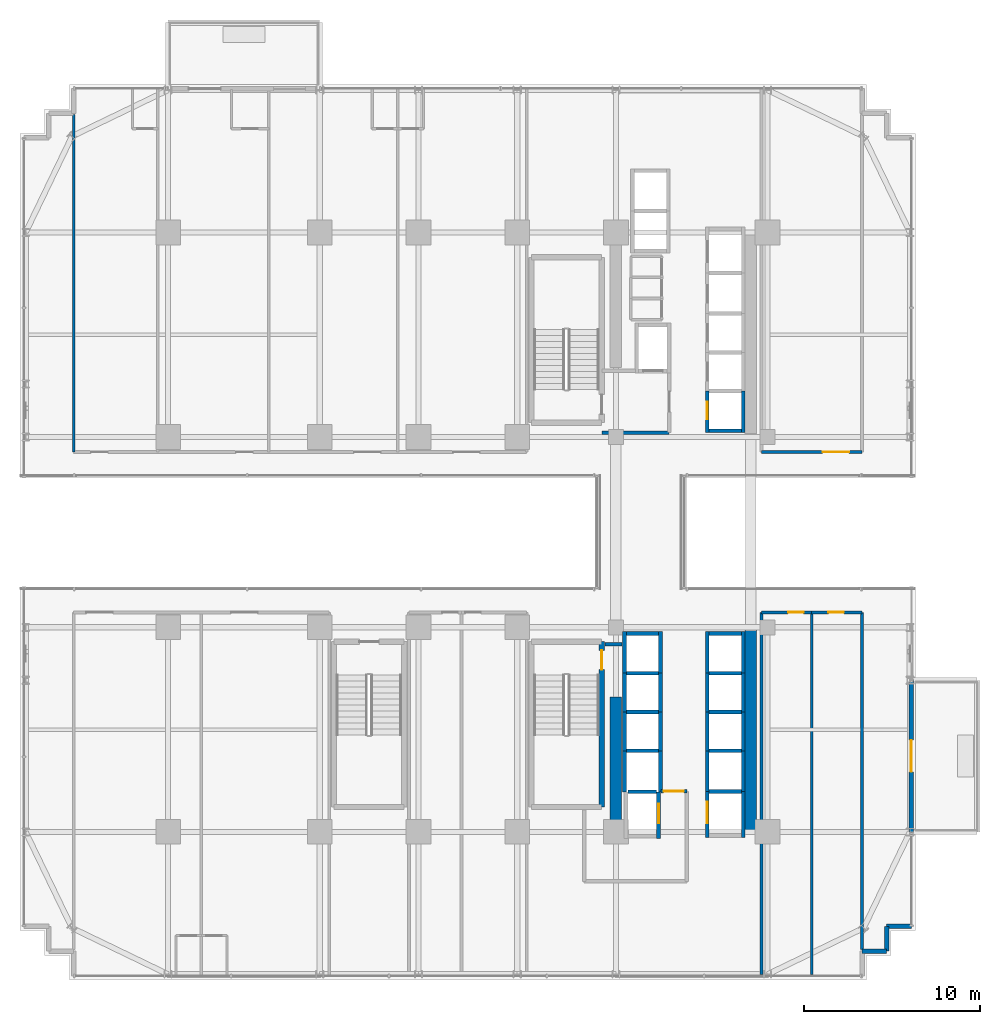
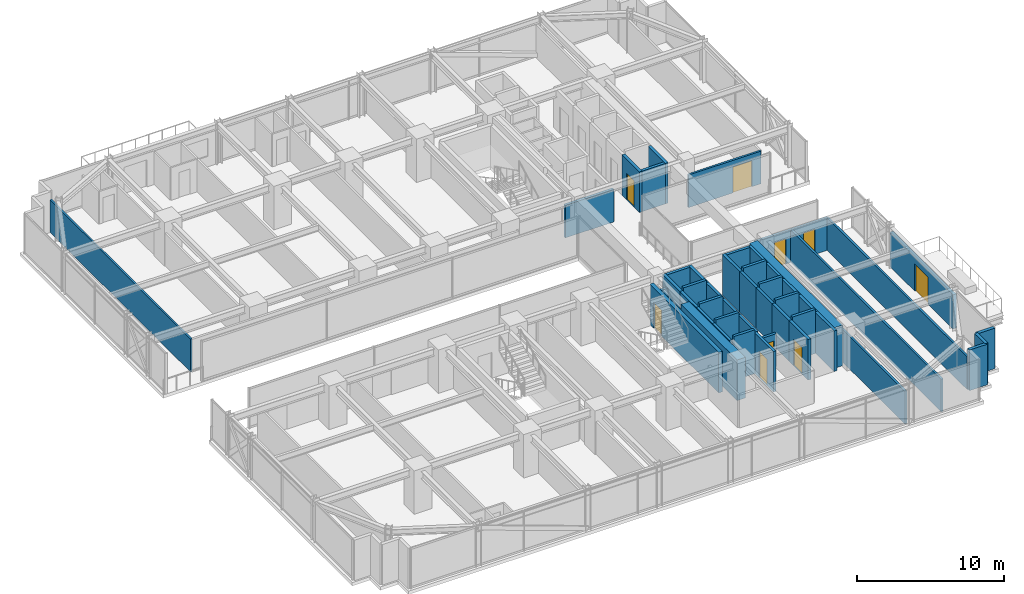
# One storey, part 35 of 41: 49 walls, 9 doors, 9 openings.
"""IFC4 building model written with IfcOpenShell, lengths in metres."""

from ifc_helpers import new_model, si_unit, direction, frame, frame_2d, origin, place, context, subcontext, project, spatial, rectangle, extrude, source, transform, mapped, material, layer, layer_set, type_object, element, fill, save


model = new_model("IFC4")

# Units and contexts
model_context = context("Model", 3, precision=1e-05, world=origin(), true_north=direction((0.0, 1.0)))
body_context = subcontext(model_context, "Body", "Model", "MODEL_VIEW")
ifc_project = project(units=[si_unit("LENGTHUNIT", "METRE"), si_unit("AREAUNIT", "SQUARE_METRE"), si_unit("VOLUMEUNIT", "CUBIC_METRE"), si_unit("PLANEANGLEUNIT", "RADIAN"), si_unit("MASSUNIT", "GRAM", prefix="KILO")], contexts=[model_context])

# Site, building, storey
site_placement = place(None, origin())
site = spatial("IfcSite", under=ifc_project, at=site_placement, CompositionType="ELEMENT")
building_placement = place(site_placement, origin())
building = spatial("IfcBuilding", under=site, at=building_placement, Name="Nahalor Promenade Grand Hotel", CompositionType="ELEMENT")
storey_placement = place(building_placement, frame((0.0, 0.0, 54.300048828125)))
storey = spatial("IfcBuildingStorey", under=building, at=storey_placement, Name="L12", CompositionType="ELEMENT", Elevation=54.300048828125)

# Walls
ifc_material_1 = material(Name="Concrete B-60 (C50/60)", Category="concrete")
ifc_layer_1 = layer(ifc_material_1, 0.64990234375)
ifc_layer_set_1 = layer_set([ifc_layer_1], Name="Concrete B-60 (C50/60)")
wall_type_1 = type_object("IfcWallType", Name="Wall-CoreShear-650", PredefinedType="SHEAR", material=ifc_layer_set_1)
shared_shape_1 = source(origin(), body_context, "Body", "SweptSolid", [
    extrude(rectangle(XDim=7.64990234375, YDim=0.64990234375, at=frame_2d((3.824951171875, 0.0))), origin(), (0.0, 0.0, 1.0), 3.369873046875),
])
wall_1_placement = place(storey_placement, frame((8.39990234375, -17.0, 0.0), z_axis=(0.0, 0.0, 1.0), x_axis=(0.0, 1.0, 0.0)))
element("IfcWall", 1, at=wall_1_placement, inside=storey, type_object=wall_type_1, Name="CWALL-L12-SW", PredefinedType="SHEAR", context=body_context, shape_type="MappedRepresentation", body=[
    mapped(shared_shape_1, transform((0.0, 0.0, 0.0), scale=1.0)),
])
shared_shape_2 = source(origin(), body_context, "Body", "SweptSolid", [
    extrude(rectangle(XDim=11.60009765625, YDim=0.64990234375, at=frame_2d((5.800048828125, 0.0))), origin(), (0.0, 0.0, 1.0), 3.369873046875),
])
wall_2_placement = place(storey_placement, frame((16.050048828125, -17.0, 0.0), z_axis=(0.0, 0.0, 1.0), x_axis=(0.0, 1.0, 0.0)))
element("IfcWall", 2, at=wall_2_placement, inside=storey, type_object=wall_type_1, Name="CWALL-L12-SE", PredefinedType="SHEAR", context=body_context, shape_type="MappedRepresentation", body=[
    mapped(shared_shape_2, transform((0.0, 0.0, 0.0), scale=1.0)),
])

# Wall, opening, door
ifc_material_2 = material(Name="Concrete B-50 (C40/50)", Category="concrete")
ifc_layer_2 = layer(ifc_material_2, 0.300048828125)
ifc_layer_set_2 = layer_set([ifc_layer_2], Name="Concrete B-50 (C40/50)")
wall_type_2 = type_object("IfcWallType", Name="Wall-ShaftShear-300", PredefinedType="SHEAR", material=ifc_layer_set_2)
shared_shape_3 = source(origin(), body_context, "Body", "SweptSolid", [
    extrude(rectangle(XDim=9.380126953125, YDim=0.300048828125, at=frame_2d((4.68994140625, 0.0))), origin(), (0.0, 0.0, 1.0), 3.369873046875),
])
wall_3_placement = place(storey_placement, frame((7.590087890625, -15.590087890625, 0.0), z_axis=(0.0, 0.0, 1.0), x_axis=(0.0, 1.0, 0.0)))
wall_3 = element("IfcWall", 3, at=wall_3_placement, inside=storey, type_object=wall_type_2, Name="L12 Exit Stair ST2 Shaft Wall E", PredefinedType="SHEAR", context=body_context, shape_type="MappedRepresentation", body=[
    mapped(shared_shape_3, transform((0.0, 0.0, 0.0), scale=1.0)),
])
opening_1_placement = place(wall_3_placement, frame((7.7900390625, 0.0, 0.0)))
opening_1 = element("IfcOpeningElement", 4, at=opening_1_placement, cuts=wall_3, Name="Opening D-ST1", PredefinedType="OPENING", context=body_context, shape_type="SweptSolid", body=[
    extrude(rectangle(XDim=1.10009765625, YDim=2.14990234375, at=frame_2d((0.550048828125, 1.074951171875))), frame((0.0, 0.159912109375, 0.0), z_axis=(0.0, -1.0, 0.0), x_axis=(1.0, 0.0, 0.0)), (0.0, 0.0, 1.0), 0.320068359375),
])
ifc_material_3 = material(Name="Steel S355JR", Category="steel")
door_type_1 = type_object("IfcDoorType", Name="Door-StairFire-1100", OperationType="NOTDEFINED", PredefinedType="DOOR", material=ifc_material_3)
shared_shape_4 = source(origin(), body_context, "Body", "SweptSolid", [
    extrude(rectangle(XDim=1.10009765625, YDim=2.14990234375, at=frame_2d((0.550048828125, 1.074951171875))), frame((0.0, 0.02490234375, 0.0), z_axis=(0.0, -1.0, 0.0), x_axis=(1.0, 0.0, 0.0)), (0.0, 0.0, 1.0), 0.050048828125),
])
door_1_placement = place(opening_1_placement, origin())
door_1 = element("IfcDoor", 5, at=door_1_placement, inside=storey, type_object=door_type_1, Name="DR-STAIR-ST2-L12", OperationType="SINGLE_SWING_LEFT", OverallHeight=2.14990234375, OverallWidth=1.10009765625, PredefinedType="DOOR", context=body_context, shape_type="MappedRepresentation", body=[
    mapped(shared_shape_4, transform((0.0, 0.0, 0.0), scale=1.0)),
])
fill(opening_1, door_1)

ifc_layer_3 = layer(ifc_material_2, 0.219970703125)
ifc_layer_set_3 = layer_set([ifc_layer_3], Name="Concrete B-50 (C40/50)")
wall_type_3 = type_object("IfcWallType", Name="Wall-LiftShaft-220", PredefinedType="SHEAR", material=ifc_layer_set_3)
shared_shape_5 = source(origin(), body_context, "Body", "SweptSolid", [
    extrude(rectangle(XDim=2.360107421875, YDim=0.219970703125, at=frame_2d((1.18017578125, 0.0))), origin(), (0.0, 0.0, 1.0), 3.369873046875),
])
wall_4_placement = place(storey_placement, frame((13.580078125, 5.639892578125, 0.0), z_axis=(0.0, 0.0, 1.0), x_axis=(0.0, 1.0, 0.0)))
wall_4 = element("IfcWall", 6, at=wall_4_placement, inside=storey, type_object=wall_type_3, Name="L12 Lift PL1 Hoistway Wall W", PredefinedType="SHEAR", context=body_context, shape_type="MappedRepresentation", body=[
    mapped(shared_shape_5, transform((0.0, 0.0, 0.0), scale=1.0)),
])
opening_2_placement = place(wall_4_placement, frame((0.760009765625, 0.0, 0.0)))
opening_2 = element("IfcOpeningElement", 7, at=opening_2_placement, cuts=wall_4, Name="Opening LD-01", PredefinedType="OPENING", context=body_context, shape_type="SweptSolid", body=[
    extrude(rectangle(XDim=1.0, YDim=2.199951171875, at=frame_2d((0.5, 1.10009765625))), frame((0.0, 0.119873046875, 0.0), z_axis=(0.0, -1.0, 0.0), x_axis=(1.0, 0.0, 0.0)), (0.0, 0.0, 1.0), 0.239990234375),
])
door_type_2 = type_object("IfcDoorType", Name="Door-LiftLanding-1000", OperationType="DOUBLE_DOOR_SLIDING", PredefinedType="DOOR", material=ifc_material_3)
shared_shape_6 = source(origin(), body_context, "Body", "SweptSolid", [
    extrude(rectangle(XDim=1.0, YDim=2.199951171875, at=frame_2d((0.5, 1.10009765625))), frame((0.0, 0.02490234375, 0.0), z_axis=(0.0, -1.0, 0.0), x_axis=(1.0, 0.0, 0.0)), (0.0, 0.0, 1.0), 0.050048828125),
])
door_2_placement = place(opening_2_placement, origin())
door_2 = element("IfcDoor", 8, at=door_2_placement, inside=storey, type_object=door_type_2, Name="DR-LIFT-PL1-L12", OperationType="DOUBLE_DOOR_SLIDING", OverallHeight=2.199951171875, OverallWidth=1.0, PredefinedType="DOOR", context=body_context, shape_type="MappedRepresentation", body=[
    mapped(shared_shape_6, transform((0.0, 0.0, 0.0), scale=1.0)),
])
fill(opening_2, door_2)

# Walls
for number, where, z_axis, x_axis, name in (
    (9, (15.6201171875, 5.639892578125, 0.0), (0.0, 0.0, 1.0), (0.0, 1.0, 0.0), "L12 Lift PL1 Hoistway Wall E"),
    (10, (13.580078125, -8.0, 0.0), (0.0, 0.0, 1.0), (0.0, 1.0, 0.0), "L12 Lift PL5 Hoistway Wall W"),
    (11, (15.6201171875, -8.0, 0.0), (0.0, 0.0, 1.0), (0.0, 1.0, 0.0), "L12 Lift PL5 Hoistway Wall E"),
    (12, (8.8798828125, -8.0, 0.0), (0.0, 0.0, 1.0), (0.0, 1.0, 0.0), "L12 Lift PL9 Hoistway Wall W"),
    (13, (10.919921875, -8.0, 0.0), (0.0, 0.0, 1.0), (0.0, 1.0, 0.0), "L12 Lift PL9 Hoistway Wall E"),
):
    element("IfcWall", number, at=place(storey_placement, frame(where, z_axis=z_axis, x_axis=x_axis)), inside=storey, type_object=wall_type_3, Name=name, PredefinedType="SHEAR", context=body_context, shape_type="MappedRepresentation", body=[
        mapped(shared_shape_5, transform((0.0, 0.0, 0.0), scale=1.0)),
    ])
shared_shape_7 = source(origin(), body_context, "Body", "SweptSolid", [
    extrude(rectangle(XDim=1.820068359375, YDim=0.219970703125, at=frame_2d((0.91015625, 0.0))), origin(), (0.0, 0.0, 1.0), 3.369873046875),
])
for number, where, z_axis, x_axis, name in (
    (14, (13.68994140625, 5.75, 0.0), (0.0, 0.0, 1.0), (1.0, 0.0, 0.0), "L12 Lift PL1 Hoistway Wall S"),
    (15, (13.68994140625, -5.75, 0.0), (0.0, 0.0, 1.0), (1.0, 0.0, 0.0), "L12 Lift PL5 Hoistway Wall N"),
    (16, (8.989990234375, -5.75, 0.0), (0.0, 0.0, 1.0), (1.0, 0.0, 0.0), "L12 Lift PL9 Hoistway Wall N"),
):
    element("IfcWall", number, at=place(storey_placement, frame(where, z_axis=z_axis, x_axis=x_axis)), inside=storey, type_object=wall_type_3, Name=name, PredefinedType="SHEAR", context=body_context, shape_type="MappedRepresentation", body=[
        mapped(shared_shape_7, transform((0.0, 0.0, 0.0), scale=1.0)),
    ])
shared_shape_8 = source(origin(), body_context, "Body", "SweptSolid", [
    extrude(rectangle(XDim=1.820068359375, YDim=0.219970703125, at=frame_2d((0.91015625, 0.0))), origin(), (0.0, 0.0, 1.0), 3.64990234375),
])
for number, where, z_axis, x_axis, name in (
    (17, (13.68994140625, -8.0, 0.0), (0.0, 0.0, 1.0), (1.0, 0.0, 0.0), "L12 Lift PL6 Hoistway Wall N"),
    (18, (13.68994140625, -10.199951171875, 0.0), (0.0, 0.0, 1.0), (1.0, 0.0, 0.0), "L12 Lift PL7 Hoistway Wall N"),
    (19, (13.68994140625, -12.39990234375, 0.0), (0.0, 0.0, 1.0), (1.0, 0.0, 0.0), "L12 Lift PL8 Hoistway Wall N"),
    (20, (8.989990234375, -8.0, 0.0), (0.0, 0.0, 1.0), (1.0, 0.0, 0.0), "L12 Lift PL10 Hoistway Wall N"),
    (21, (8.989990234375, -10.199951171875, 0.0), (0.0, 0.0, 1.0), (1.0, 0.0, 0.0), "L12 Lift PL11 Hoistway Wall N"),
    (22, (8.989990234375, -12.39990234375, 0.0), (0.0, 0.0, 1.0), (1.0, 0.0, 0.0), "L12 Lift PL12 Hoistway Wall N"),
    (23, (13.68994140625, -14.699951171875, 0.0), (0.0, 0.0, 1.0), (1.0, 0.0, 0.0), "L12 Lift SV2 Hoistway Wall N"),
):
    element("IfcWall", number, at=place(storey_placement, frame(where, z_axis=z_axis, x_axis=x_axis)), inside=storey, type_object=wall_type_3, Name=name, PredefinedType="SHEAR", context=body_context, shape_type="MappedRepresentation", body=[
        mapped(shared_shape_8, transform((0.0, 0.0, 0.0), scale=1.0)),
    ])
shared_shape_9 = source(origin(), body_context, "Body", "SweptSolid", [
    extrude(rectangle(XDim=2.199951171875, YDim=0.219970703125, at=frame_2d((1.10009765625, 0.0))), origin(), (0.0, 0.0, 1.0), 3.369873046875),
])
for number, where, z_axis, x_axis, name in (
    (24, (13.580078125, -10.199951171875, 0.0), (0.0, 0.0, 1.0), (0.0, 1.0, 0.0), "L12 Lift PL6 Hoistway Wall W"),
    (25, (15.6201171875, -10.199951171875, 0.0), (0.0, 0.0, 1.0), (0.0, 1.0, 0.0), "L12 Lift PL6 Hoistway Wall E"),
    (26, (13.580078125, -12.39990234375, 0.0), (0.0, 0.0, 1.0), (0.0, 1.0, 0.0), "L12 Lift PL7 Hoistway Wall W"),
    (27, (15.6201171875, -12.39990234375, 0.0), (0.0, 0.0, 1.0), (0.0, 1.0, 0.0), "L12 Lift PL7 Hoistway Wall E"),
    (28, (8.8798828125, -10.199951171875, 0.0), (0.0, 0.0, 1.0), (0.0, 1.0, 0.0), "L12 Lift PL10 Hoistway Wall W"),
    (29, (10.919921875, -10.199951171875, 0.0), (0.0, 0.0, 1.0), (0.0, 1.0, 0.0), "L12 Lift PL10 Hoistway Wall E"),
    (30, (8.8798828125, -12.39990234375, 0.0), (0.0, 0.0, 1.0), (0.0, 1.0, 0.0), "L12 Lift PL11 Hoistway Wall W"),
    (31, (10.919921875, -12.39990234375, 0.0), (0.0, 0.0, 1.0), (0.0, 1.0, 0.0), "L12 Lift PL11 Hoistway Wall E"),
):
    element("IfcWall", number, at=place(storey_placement, frame(where, z_axis=z_axis, x_axis=x_axis)), inside=storey, type_object=wall_type_3, Name=name, PredefinedType="SHEAR", context=body_context, shape_type="MappedRepresentation", body=[
        mapped(shared_shape_9, transform((0.0, 0.0, 0.0), scale=1.0)),
    ])
shared_shape_10 = source(origin(), body_context, "Body", "SweptSolid", [
    extrude(rectangle(XDim=2.300048828125, YDim=0.219970703125, at=frame_2d((1.14990234375, 0.0))), origin(), (0.0, 0.0, 1.0), 3.369873046875),
])
for number, where, z_axis, x_axis, name in (
    (32, (13.580078125, -14.699951171875, 0.0), (0.0, 0.0, 1.0), (0.0, 1.0, 0.0), "L12 Lift PL8 Hoistway Wall W"),
    (33, (15.6201171875, -14.699951171875, 0.0), (0.0, 0.0, 1.0), (0.0, 1.0, 0.0), "L12 Lift PL8 Hoistway Wall E"),
):
    element("IfcWall", number, at=place(storey_placement, frame(where, z_axis=z_axis, x_axis=x_axis)), inside=storey, type_object=wall_type_3, Name=name, PredefinedType="SHEAR", context=body_context, shape_type="MappedRepresentation", body=[
        mapped(shared_shape_10, transform((0.0, 0.0, 0.0), scale=1.0)),
    ])
shared_shape_11 = source(origin(), body_context, "Body", "SweptSolid", [
    extrude(rectangle(XDim=2.3251953125, YDim=0.219970703125, at=frame_2d((1.16259765625, 0.0))), origin(), (0.0, 0.0, 1.0), 3.369873046875),
])
for number, where, z_axis, x_axis, name in (
    (34, (8.8798828125, -14.72509765625, 0.0), (0.0, 0.0, 1.0), (0.0, 1.0, 0.0), "L12 Lift PL12 Hoistway Wall W"),
    (35, (10.919921875, -14.72509765625, 0.0), (0.0, 0.0, 1.0), (0.0, 1.0, 0.0), "L12 Lift PL12 Hoistway Wall E"),
):
    element("IfcWall", number, at=place(storey_placement, frame(where, z_axis=z_axis, x_axis=x_axis)), inside=storey, type_object=wall_type_3, Name=name, PredefinedType="SHEAR", context=body_context, shape_type="MappedRepresentation", body=[
        mapped(shared_shape_11, transform((0.0, 0.0, 0.0), scale=1.0)),
    ])

# Wall, opening, door
shared_shape_12 = source(origin(), body_context, "Body", "SweptSolid", [
    extrude(rectangle(XDim=2.635009765625, YDim=0.219970703125, at=frame_2d((1.3173828125, 0.0))), origin(), (0.0, 0.0, 1.0), 3.369873046875),
])
wall_5_placement = place(storey_placement, frame((10.820068359375, -17.360107421875, 0.0), z_axis=(0.0, 0.0, 1.0), x_axis=(0.0, 1.0, 0.0)))
wall_5 = element("IfcWall", 36, at=wall_5_placement, inside=storey, type_object=wall_type_3, Name="L12 Lift FL2 Hoistway Wall E", PredefinedType="SHEAR", context=body_context, shape_type="MappedRepresentation", body=[
    mapped(shared_shape_12, transform((0.0, 0.0, 0.0), scale=1.0)),
])
opening_3_placement = place(wall_5_placement, frame((0.860107421875, 0.0, 0.0)))
opening_3 = element("IfcOpeningElement", 37, at=opening_3_placement, cuts=wall_5, Name="Opening LD-02", PredefinedType="OPENING", context=body_context, shape_type="SweptSolid", body=[
    extrude(rectangle(XDim=1.10009765625, YDim=2.199951171875, at=frame_2d((0.550048828125, 1.10009765625))), frame((0.0, 0.119873046875, 0.0), z_axis=(0.0, -1.0, 0.0), x_axis=(1.0, 0.0, 0.0)), (0.0, 0.0, 1.0), 0.239990234375),
])
door_type_3 = type_object("IfcDoorType", Name="Door-LiftFF-1100", OperationType="DOUBLE_DOOR_SLIDING", PredefinedType="DOOR", material=ifc_material_3)
shared_shape_13 = source(origin(), body_context, "Body", "SweptSolid", [
    extrude(rectangle(XDim=1.10009765625, YDim=2.199951171875, at=frame_2d((0.550048828125, 1.10009765625))), frame((0.0, 0.02490234375, 0.0), z_axis=(0.0, -1.0, 0.0), x_axis=(1.0, 0.0, 0.0)), (0.0, 0.0, 1.0), 0.050048828125),
])
door_3_placement = place(opening_3_placement, frame((1.10009765625, 0.0, 0.0), z_axis=(0.0, 0.0, 1.0), x_axis=(-1.0, 0.0, 0.0)))
door_3 = element("IfcDoor", 38, at=door_3_placement, inside=storey, type_object=door_type_3, Name="DR-LIFT-FL2-L12", OperationType="DOUBLE_DOOR_SLIDING", OverallHeight=2.199951171875, OverallWidth=1.10009765625, PredefinedType="DOOR", context=body_context, shape_type="MappedRepresentation", body=[
    mapped(shared_shape_13, transform((0.0, 0.0, 0.0), scale=1.0)),
])
fill(opening_3, door_3)

# Wall
shared_shape_14 = source(origin(), body_context, "Body", "SweptSolid", [
    extrude(rectangle(XDim=1.619873046875, YDim=0.219970703125, at=frame_2d((0.81005859375, 0.0))), origin(), (0.0, 0.0, 1.0), 3.64990234375),
])
wall_6_placement = place(storey_placement, frame((9.090087890625, -14.72509765625, 0.0), z_axis=(0.0, 0.0, 1.0), x_axis=(1.0, 0.0, 0.0)))
element("IfcWall", 39, at=wall_6_placement, inside=storey, type_object=wall_type_3, Name="L12 Lift FL2 Hoistway Wall N", PredefinedType="SHEAR", context=body_context, shape_type="MappedRepresentation", body=[
    mapped(shared_shape_14, transform((0.0, 0.0, 0.0), scale=1.0)),
])

# Wall, opening, door
shared_shape_15 = source(origin(), body_context, "Body", "SweptSolid", [
    extrude(rectangle(XDim=2.610107421875, YDim=0.219970703125, at=frame_2d((1.30517578125, 0.0))), origin(), (0.0, 0.0, 1.0), 3.369873046875),
])
wall_7_placement = place(storey_placement, frame((13.580078125, -17.31005859375, 0.0), z_axis=(0.0, 0.0, 1.0), x_axis=(0.0, 1.0, 0.0)))
wall_7 = element("IfcWall", 40, at=wall_7_placement, inside=storey, type_object=wall_type_3, Name="L12 Lift SV2 Hoistway Wall W", PredefinedType="SHEAR", context=body_context, shape_type="MappedRepresentation", body=[
    mapped(shared_shape_15, transform((0.0, 0.0, 0.0), scale=1.0)),
])
opening_4_placement = place(wall_7_placement, frame((0.81005859375, 0.0, 0.0)))
opening_4 = element("IfcOpeningElement", 41, at=opening_4_placement, cuts=wall_7, Name="Opening LD-03", PredefinedType="OPENING", context=body_context, shape_type="SweptSolid", body=[
    extrude(rectangle(XDim=1.199951171875, YDim=2.199951171875, at=frame_2d((0.60009765625, 1.10009765625))), frame((0.0, 0.119873046875, 0.0), z_axis=(0.0, -1.0, 0.0), x_axis=(1.0, 0.0, 0.0)), (0.0, 0.0, 1.0), 0.239990234375),
])
door_type_4 = type_object("IfcDoorType", Name="Door-LiftService-1200", OperationType="DOUBLE_DOOR_SLIDING", PredefinedType="DOOR", material=ifc_material_3)
shared_shape_16 = source(origin(), body_context, "Body", "SweptSolid", [
    extrude(rectangle(XDim=1.199951171875, YDim=2.199951171875, at=frame_2d((0.60009765625, 1.10009765625))), frame((0.0, 0.02490234375, 0.0), z_axis=(0.0, -1.0, 0.0), x_axis=(1.0, 0.0, 0.0)), (0.0, 0.0, 1.0), 0.050048828125),
])
door_4_placement = place(opening_4_placement, origin())
door_4 = element("IfcDoor", 42, at=door_4_placement, inside=storey, type_object=door_type_4, Name="DR-LIFT-SV2-L12", OperationType="DOUBLE_DOOR_SLIDING", OverallHeight=2.199951171875, OverallWidth=1.199951171875, PredefinedType="DOOR", context=body_context, shape_type="MappedRepresentation", body=[
    mapped(shared_shape_16, transform((0.0, 0.0, 0.0), scale=1.0)),
])
fill(opening_4, door_4)

# Walls
wall_8_placement = place(storey_placement, frame((15.6201171875, -17.31005859375, 0.0), z_axis=(0.0, 0.0, 1.0), x_axis=(0.0, 1.0, 0.0)))
element("IfcWall", 43, at=wall_8_placement, inside=storey, type_object=wall_type_3, Name="L12 Lift SV2 Hoistway Wall E", PredefinedType="SHEAR", context=body_context, shape_type="MappedRepresentation", body=[
    mapped(shared_shape_15, transform((0.0, 0.0, 0.0), scale=1.0)),
])
ifc_material_4 = material(Name="Concrete B-40 (C32/40)", Category="concrete")
ifc_layer_4 = layer(ifc_material_4, 0.25)
ifc_layer_set_4 = layer_set([ifc_layer_4], Name="Concrete B-40 (C32/40)")
wall_type_4 = type_object("IfcWallType", Name="Wall-BronzePier-250", PredefinedType="STANDARD", material=ifc_layer_set_4)
shared_shape_17 = source(origin(), body_context, "Body", "SweptSolid", [
    extrude(rectangle(XDim=1.39990234375, YDim=0.25, at=frame_2d((0.699951171875, 0.0))), origin(), (0.0, 0.0, 1.0), 3.369873046875),
])
for number, where, z_axis, x_axis, name in (
    (44, (22.360107421875, -23.760009765625, 0.0), (0.0, 0.0, 1.0), (1.0, 0.0, 0.0), "W-L12-SR-02"),
    (45, (23.760009765625, -23.760009765625, 0.0), (0.0, 0.0, 1.0), (0.0, 1.0, 0.0), "W-L12-SR-03"),
    (46, (23.760009765625, -22.360107421875, 0.0), (0.0, 0.0, 1.0), (1.0, 0.0, 0.0), "W-L12-SR-04"),
):
    element("IfcWall", number, at=place(storey_placement, frame(where, z_axis=z_axis, x_axis=x_axis)), inside=storey, type_object=wall_type_4, Name=name, PredefinedType="STANDARD", context=body_context, shape_type="MappedRepresentation", body=[
        mapped(shared_shape_17, transform((0.0, 0.0, 0.0), scale=1.0)),
    ])

# Wall, opening, door
ifc_layer_5 = layer(ifc_material_4, 0.260009765625)
ifc_layer_set_5 = layer_set([ifc_layer_5], Name="Concrete B-40 (C32/40)")
wall_type_5 = type_object("IfcWallType", Name="Wall-BalconyWall-260", PredefinedType="STANDARD", material=ifc_layer_set_5)
shared_shape_18 = source(origin(), body_context, "Body", "SweptSolid", [
    extrude(rectangle(XDim=8.60009765625, YDim=0.260009765625, at=frame_2d((4.300048828125, 0.0))), origin(), (0.0, 0.0, 1.0), 2.849853515625),
])
wall_9_placement = place(storey_placement, frame((25.159912109375, -17.0, 0.0), z_axis=(0.0, 0.0, 1.0), x_axis=(0.0, 1.0, 0.0)))
wall_9 = element("IfcWall", 47, at=wall_9_placement, inside=storey, type_object=wall_type_5, Name="W-L12-BALC-E-2", PredefinedType="STANDARD", context=body_context, shape_type="MappedRepresentation", body=[
    mapped(shared_shape_18, transform((0.0, 0.0, 0.0), scale=1.0)),
])
opening_5_placement = place(wall_9_placement, frame((3.39990234375, 0.0, 0.0)))
opening_5 = element("IfcOpeningElement", 48, at=opening_5_placement, cuts=wall_9, Name="Opening D-BC1", PredefinedType="OPENING", context=body_context, shape_type="SweptSolid", body=[
    extrude(rectangle(XDim=1.800048828125, YDim=2.25, at=frame_2d((0.89990234375, 1.125))), frame((0.0, 0.139892578125, 0.0), z_axis=(0.0, -1.0, 0.0), x_axis=(1.0, 0.0, 0.0)), (0.0, 0.0, 1.0), 0.280029296875),
])
ifc_material_5 = material(Name="Anodised Bronze Aluminium EN AW-6063 T6", Category="aluminium")
door_type_5 = type_object("IfcDoorType", Name="Door-BalconySlide-1800", OperationType="DOUBLE_DOOR_SLIDING", PredefinedType="DOOR", material=ifc_material_5)
shared_shape_19 = source(origin(), body_context, "Body", "SweptSolid", [
    extrude(rectangle(XDim=1.800048828125, YDim=2.25, at=frame_2d((0.89990234375, 1.125))), frame((0.0, 0.02490234375, 0.0), z_axis=(0.0, -1.0, 0.0), x_axis=(1.0, 0.0, 0.0)), (0.0, 0.0, 1.0), 0.050048828125),
])
door_5_placement = place(opening_5_placement, frame((1.800048828125, 0.0, 0.0), z_axis=(0.0, 0.0, 1.0), x_axis=(-1.0, 0.0, 0.0)))
door_5 = element("IfcDoor", 49, at=door_5_placement, inside=storey, type_object=door_type_5, Name="DR-L12-BALC-E-2", OperationType="DOUBLE_DOOR_SLIDING", OverallHeight=2.25, OverallWidth=1.800048828125, PredefinedType="DOOR", context=body_context, shape_type="MappedRepresentation", body=[
    mapped(shared_shape_19, transform((0.0, 0.0, 0.0), scale=1.0)),
])
fill(opening_5, door_5)

# Wall
ifc_layer_6 = layer(ifc_material_4, 0.199951171875)
ifc_layer_set_6 = layer_set([ifc_layer_6], Name="Concrete B-40 (C32/40)")
wall_type_6 = type_object("IfcWallType", Name="Wall-PartFire-200", PredefinedType="PARTITIONING", material=ifc_layer_set_6)
shared_shape_20 = source(origin(), body_context, "Body", "SweptSolid", [
    extrude(rectangle(XDim=3.81982421875, YDim=0.199951171875, at=frame_2d((1.909912109375, 0.0))), origin(), (0.0, 0.0, 1.0), 2.7099609375),
])
wall_10_placement = place(storey_placement, frame((7.60009765625, 5.64990234375, 0.0), z_axis=(0.0, 0.0, 1.0), x_axis=(1.0, 0.0, 0.0)))
element("IfcWall", 50, at=wall_10_placement, inside=storey, type_object=wall_type_6, Name="W-L12-FF1-S", PredefinedType="PARTITIONING", context=body_context, shape_type="MappedRepresentation", body=[
    mapped(shared_shape_20, transform((0.0, 0.0, 0.0), scale=1.0)),
])

# Wall, opening, door
shared_shape_21 = source(origin(), body_context, "Body", "SweptSolid", [
    extrude(rectangle(XDim=1.4599609375, YDim=0.199951171875, at=frame_2d((0.72998046875, 0.0))), origin(), (0.0, 0.0, 1.0), 2.7099609375),
])
wall_11_placement = place(storey_placement, frame((10.9599609375, -14.699951171875, 0.0), z_axis=(0.0, 0.0, 1.0), x_axis=(1.0, 0.0, 0.0)))
wall_11 = element("IfcWall", 51, at=wall_11_placement, inside=storey, type_object=wall_type_6, Name="W-L12-FF2-N1", PredefinedType="PARTITIONING", context=body_context, shape_type="MappedRepresentation", body=[
    mapped(shared_shape_21, transform((0.0, 0.0, 0.0), scale=1.0)),
])
opening_6_placement = place(wall_11_placement, frame((0.14501953125, 0.0, 0.0)))
opening_6 = element("IfcOpeningElement", 52, at=opening_6_placement, cuts=wall_11, Name="Opening D-FF1", PredefinedType="OPENING", context=body_context, shape_type="SweptSolid", body=[
    extrude(rectangle(XDim=1.14990234375, YDim=2.14990234375, at=frame_2d((0.574951171875, 1.074951171875))), frame((0.0, 0.10986328125, 0.0), z_axis=(0.0, -1.0, 0.0), x_axis=(1.0, 0.0, 0.0)), (0.0, 0.0, 1.0), 0.219970703125),
])
door_type_6 = type_object("IfcDoorType", Name="Door-FFLobby-1150", OperationType="NOTDEFINED", PredefinedType="DOOR", material=ifc_material_3)
shared_shape_22 = source(origin(), body_context, "Body", "SweptSolid", [
    extrude(rectangle(XDim=1.14990234375, YDim=2.14990234375, at=frame_2d((0.574951171875, 1.074951171875))), frame((0.0, 0.02490234375, 0.0), z_axis=(0.0, -1.0, 0.0), x_axis=(1.0, 0.0, 0.0)), (0.0, 0.0, 1.0), 0.050048828125),
])
door_6_placement = place(opening_6_placement, origin())
door_6 = element("IfcDoor", 53, at=door_6_placement, inside=storey, type_object=door_type_6, Name="DR-L12-FFL2", OperationType="SINGLE_SWING_RIGHT", OverallHeight=2.14990234375, OverallWidth=1.14990234375, PredefinedType="DOOR", context=body_context, shape_type="MappedRepresentation", body=[
    mapped(shared_shape_22, transform((0.0, 0.0, 0.0), scale=1.0)),
])
fill(opening_6, door_6)

# Wall
shared_shape_23 = source(origin(), body_context, "Body", "SweptSolid", [
    extrude(rectangle(XDim=0.969970703125, YDim=0.199951171875, at=frame_2d((0.48486328125, 0.0))), origin(), (0.0, 0.0, 1.0), 2.7099609375),
])
wall_12_placement = place(storey_placement, frame((7.77001953125, -6.35009765625, 0.0), z_axis=(0.0, 0.0, 1.0), x_axis=(1.0, 0.0, 0.0)))
element("IfcWall", 54, at=wall_12_placement, inside=storey, type_object=wall_type_6, Name="W-L12-FF2-N2", PredefinedType="PARTITIONING", context=body_context, shape_type="MappedRepresentation", body=[
    mapped(shared_shape_23, transform((0.0, 0.0, 0.0), scale=1.0)),
])

# Wall, opening, door
ifc_material_6 = material(Name="Acoustic Mineral Gypsum", Category="gypsum")
ifc_layer_7 = layer(ifc_material_6, 0.159912109375)
ifc_layer_set_7 = layer_set([ifc_layer_7], Name="Acoustic Mineral Gypsum")
wall_type_7 = type_object("IfcWallType", Name="Wall-PartCorridor-160", PredefinedType="PARTITIONING", material=ifc_layer_set_7)
shared_shape_24 = source(origin(), body_context, "Body", "SweptSolid", [
    extrude(rectangle(XDim=5.710205078125, YDim=0.159912109375, at=frame_2d((2.85498046875, 0.0))), origin(), (0.0, 0.0, 1.0), 2.7099609375),
])
wall_13_placement = place(storey_placement, frame((16.64990234375, 4.550048828125, 0.0), z_axis=(0.0, 0.0, 1.0), x_axis=(1.0, 0.0, 0.0)))
wall_13 = element("IfcWall", 55, at=wall_13_placement, inside=storey, type_object=wall_type_7, Name="W-L12-ENE-S", PredefinedType="PARTITIONING", context=body_context, shape_type="MappedRepresentation", body=[
    mapped(shared_shape_24, transform((0.0, 0.0, 0.0), scale=1.0)),
])
opening_7_placement = place(wall_13_placement, frame((3.47900390625, 0.0, 0.0)))
opening_7 = element("IfcOpeningElement", 56, at=opening_7_placement, cuts=wall_13, Name="Opening D-02", PredefinedType="OPENING", context=body_context, shape_type="SweptSolid", body=[
    extrude(rectangle(XDim=1.5, YDim=2.14990234375, at=frame_2d((0.75, 1.074951171875))), frame((0.0, 0.08984375, 0.0), z_axis=(0.0, -1.0, 0.0), x_axis=(1.0, 0.0, 0.0)), (0.0, 0.0, 1.0), 0.179931640625),
])
ifc_material_7 = material(Name="Fire-Rated Timber Composite", Category="wood")
door_type_7 = type_object("IfcDoorType", Name="Door-SuiteDouble-1500", OperationType="DOUBLE_DOOR_SINGLE_SWING", PredefinedType="DOOR", material=ifc_material_7)
shared_shape_25 = source(origin(), body_context, "Body", "SweptSolid", [
    extrude(rectangle(XDim=1.5, YDim=2.14990234375, at=frame_2d((0.75, 1.074951171875))), frame((0.0, 0.02490234375, 0.0), z_axis=(0.0, -1.0, 0.0), x_axis=(1.0, 0.0, 0.0)), (0.0, 0.0, 1.0), 0.050048828125),
])
door_7_placement = place(opening_7_placement, origin())
door_7 = element("IfcDoor", 57, at=door_7_placement, inside=storey, type_object=door_type_7, Name="DR-L12-ENE", OperationType="DOUBLE_DOOR_SINGLE_SWING", OverallHeight=2.14990234375, OverallWidth=1.5, PredefinedType="DOOR", context=body_context, shape_type="MappedRepresentation", body=[
    mapped(shared_shape_25, transform((0.0, 0.0, 0.0), scale=1.0)),
])
fill(opening_7, door_7)

# Walls
shared_shape_26 = source(origin(), body_context, "Body", "SweptSolid", [
    extrude(rectangle(XDim=20.550048828125, YDim=0.159912109375, at=frame_2d((10.27490234375, 0.0))), origin(), (0.0, 0.0, 1.0), 2.7099609375),
])
for number, where, z_axis, x_axis, name in (
    (58, (16.64990234375, -25.10009765625, 0.0), (0.0, 0.0, 1.0), (0.0, 1.0, 0.0), "W-L12-ESE1-W"),
    (59, (19.5048828125, -25.10009765625, 0.0), (0.0, 0.0, 1.0), (0.0, 1.0, 0.0), "W-L12-ESE1-E"),
):
    element("IfcWall", number, at=place(storey_placement, frame(where, z_axis=z_axis, x_axis=x_axis)), inside=storey, type_object=wall_type_7, Name=name, PredefinedType="PARTITIONING", context=body_context, shape_type="MappedRepresentation", body=[
        mapped(shared_shape_26, transform((0.0, 0.0, 0.0), scale=1.0)),
    ])
shared_shape_27 = source(origin(), body_context, "Body", "SweptSolid", [
    extrude(rectangle(XDim=19.1298828125, YDim=0.159912109375, at=frame_2d((9.56494140625, 0.0))), origin(), (0.0, 0.0, 1.0), 2.7099609375),
])
wall_14_placement = place(storey_placement, frame((22.360107421875, -23.679931640625, 0.0), z_axis=(0.0, 0.0, 1.0), x_axis=(0.0, 1.0, 0.0)))
element("IfcWall", 60, at=wall_14_placement, inside=storey, type_object=wall_type_7, Name="W-L12-ESE2-E", PredefinedType="PARTITIONING", context=body_context, shape_type="MappedRepresentation", body=[
    mapped(shared_shape_27, transform((0.0, 0.0, 0.0), scale=1.0)),
])
ifc_layer_8 = layer(ifc_material_6, 0.139892578125)
ifc_layer_set_8 = layer_set([ifc_layer_8], Name="Acoustic Mineral Gypsum")
wall_type_8 = type_object("IfcWallType", Name="Wall-PartSuite-140", PredefinedType="PARTITIONING", material=ifc_layer_set_8)
shared_shape_28 = source(origin(), body_context, "Body", "SweptSolid", [
    extrude(rectangle(XDim=19.1298828125, YDim=0.139892578125, at=frame_2d((9.56494140625, 0.0))), origin(), (0.0, 0.0, 1.0), 2.7099609375),
])
wall_15_placement = place(storey_placement, frame((-22.360107421875, 4.550048828125, 0.0), z_axis=(0.0, 0.0, 1.0), x_axis=(0.0, 1.0, 0.0)))
element("IfcWall", 61, at=wall_15_placement, inside=storey, type_object=wall_type_8, Name="W-L12-NW-ENDW", PredefinedType="PARTITIONING", context=body_context, shape_type="MappedRepresentation", body=[
    mapped(shared_shape_28, transform((0.0, 0.0, 0.0), scale=1.0)),
])

# Wall, opening, door
shared_shape_29 = source(origin(), body_context, "Body", "SweptSolid", [
    extrude(rectangle(XDim=2.85498046875, YDim=0.159912109375, at=frame_2d((1.427490234375, 0.0))), origin(), (0.0, 0.0, 1.0), 2.7099609375),
])
wall_16_placement = place(storey_placement, frame((16.64990234375, -4.550048828125, 0.0), z_axis=(0.0, 0.0, 1.0), x_axis=(1.0, 0.0, 0.0)))
wall_16 = element("IfcWall", 62, at=wall_16_placement, inside=storey, type_object=wall_type_7, Name="W-L12-ESE1-N", PredefinedType="PARTITIONING", context=body_context, shape_type="MappedRepresentation", body=[
    mapped(shared_shape_29, transform((0.0, 0.0, 0.0), scale=1.0)),
])
opening_8_placement = place(wall_16_placement, frame((1.510986328125, 0.0, 0.0)))
opening_8 = element("IfcOpeningElement", 63, at=opening_8_placement, cuts=wall_16, Name="Opening D-03", PredefinedType="OPENING", context=body_context, shape_type="SweptSolid", body=[
    extrude(rectangle(XDim=0.8798828125, YDim=2.10009765625, at=frame_2d((0.43994140625, 1.050048828125))), frame((0.0, 0.08984375, 0.0), z_axis=(0.0, -1.0, 0.0), x_axis=(1.0, 0.0, 0.0)), (0.0, 0.0, 1.0), 0.179931640625),
])
door_type_8 = type_object("IfcDoorType", Name="Door-BathSwing-880", OperationType="NOTDEFINED", PredefinedType="DOOR", material=ifc_material_7)
shared_shape_30 = source(origin(), body_context, "Body", "SweptSolid", [
    extrude(rectangle(XDim=0.8798828125, YDim=2.10009765625, at=frame_2d((0.43994140625, 1.050048828125))), frame((0.0, 0.02490234375, 0.0), z_axis=(0.0, -1.0, 0.0), x_axis=(1.0, 0.0, 0.0)), (0.0, 0.0, 1.0), 0.050048828125),
])
door_8_placement = place(opening_8_placement, frame((0.8798828125, 0.0, 0.0), z_axis=(0.0, 0.0, 1.0), x_axis=(-1.0, 0.0, 0.0)))
door_8 = element("IfcDoor", 64, at=door_8_placement, inside=storey, type_object=door_type_8, Name="DR-L12-ESE1", OperationType="SINGLE_SWING_RIGHT", OverallHeight=2.10009765625, OverallWidth=0.8798828125, PredefinedType="DOOR", context=body_context, shape_type="MappedRepresentation", body=[
    mapped(shared_shape_30, transform((0.0, 0.0, 0.0), scale=1.0)),
])
fill(opening_8, door_8)

shared_shape_31 = source(origin(), body_context, "Body", "SweptSolid", [
    extrude(rectangle(XDim=2.855224609375, YDim=0.159912109375, at=frame_2d((1.427734375, 0.0))), origin(), (0.0, 0.0, 1.0), 2.7099609375),
])
wall_17_placement = place(storey_placement, frame((19.5048828125, -4.550048828125, 0.0), z_axis=(0.0, 0.0, 1.0), x_axis=(1.0, 0.0, 0.0)))
wall_17 = element("IfcWall", 65, at=wall_17_placement, inside=storey, type_object=wall_type_7, Name="W-L12-ESE2-N", PredefinedType="PARTITIONING", context=body_context, shape_type="MappedRepresentation", body=[
    mapped(shared_shape_31, transform((0.0, 0.0, 0.0), scale=1.0)),
])
opening_9_placement = place(wall_17_placement, frame((0.93994140625, 0.0, 0.0)))
opening_9 = element("IfcOpeningElement", 66, at=opening_9_placement, cuts=wall_17, Name="Opening D-03", PredefinedType="OPENING", context=body_context, shape_type="SweptSolid", body=[
    extrude(rectangle(XDim=0.8798828125, YDim=2.10009765625, at=frame_2d((0.43994140625, 1.050048828125))), frame((0.0, 0.08984375, 0.0), z_axis=(0.0, -1.0, 0.0), x_axis=(1.0, 0.0, 0.0)), (0.0, 0.0, 1.0), 0.179931640625),
])
door_9_placement = place(opening_9_placement, frame((0.8798828125, 0.0, 0.0), z_axis=(0.0, 0.0, 1.0), x_axis=(-1.0, 0.0, 0.0)))
door_9 = element("IfcDoor", 67, at=door_9_placement, inside=storey, type_object=door_type_8, Name="DR-L12-ESE2", OperationType="SINGLE_SWING_LEFT", OverallHeight=2.10009765625, OverallWidth=0.8798828125, PredefinedType="DOOR", context=body_context, shape_type="MappedRepresentation", body=[
    mapped(shared_shape_30, transform((0.0, 0.0, 0.0), scale=1.0)),
])
fill(opening_9, door_9)

save(model, "model.ifc")
